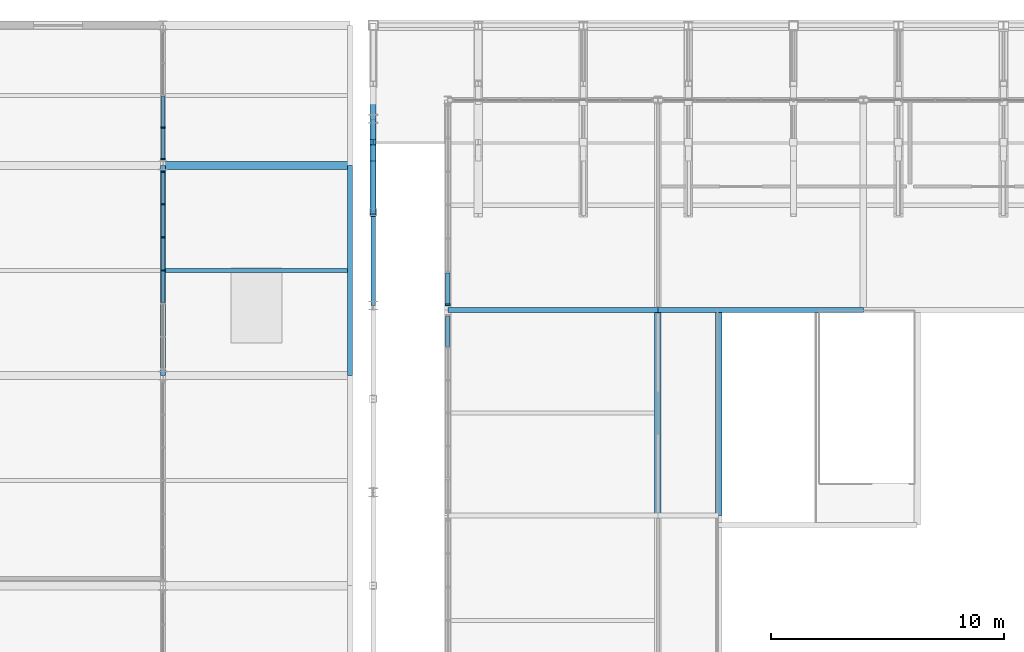
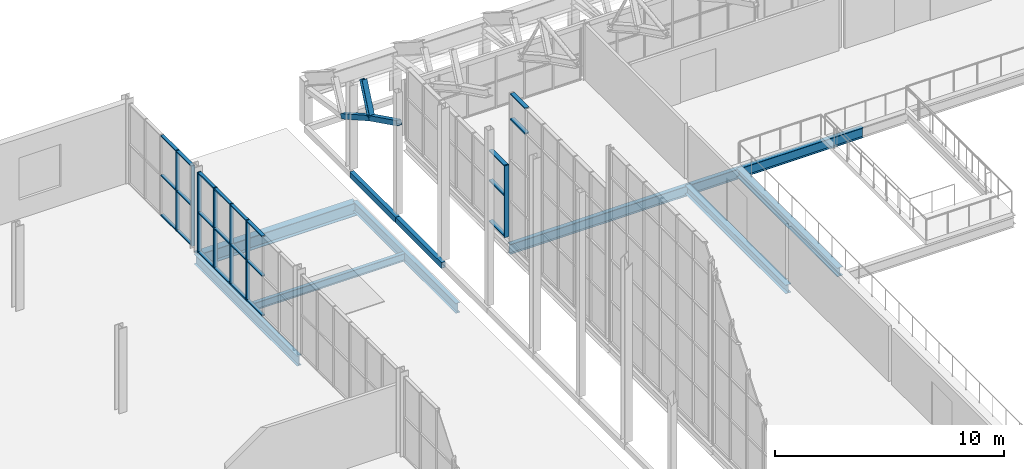
# One storey, part 55 of 134: 33 members, 10 beams, 4 elements without a shape of their own.
"""IFC4 building model written with IfcOpenShell, lengths in metres."""

from ifc_helpers import new_model, si_unit, direction, frame, origin, origin_2d, place, context, subcontext, project, spatial, rectangle, hollow_rectangle, i_section, extrude, material, layer, layer_set, material_profile, profile_set, type_object, element, aggregate, save


model = new_model("IFC4")

# Units and contexts
model_context = context("Model", 3, precision=1e-05, world=origin(), true_north=direction((0.0, 1.0)))
body_context = subcontext(model_context, "Body", "Model", "MODEL_VIEW")
ifc_project = project(units=[si_unit("LENGTHUNIT", "METRE"), si_unit("AREAUNIT", "SQUARE_METRE"), si_unit("VOLUMEUNIT", "CUBIC_METRE"), si_unit("PLANEANGLEUNIT", "RADIAN"), si_unit("MASSUNIT", "GRAM", prefix="KILO")], contexts=[model_context])

# Site, building, storey
site_placement = place(None, origin())
site = spatial("IfcSite", under=ifc_project, at=site_placement, CompositionType="ELEMENT")
building_placement = place(site_placement, origin())
building = spatial("IfcBuilding", under=site, at=building_placement, Name="Cazmaro Siding Exhibition Halls", CompositionType="ELEMENT")
storey_placement = place(building_placement, frame((0.0, 0.0, 12.0)))
storey = spatial("IfcBuildingStorey", under=building, at=storey_placement, Name="L02", CompositionType="ELEMENT", Elevation=12.0)

# Beams
ifc_material_1 = material(Name="Steel ASTM A992 Grade 50", Category="steel")
ifc_material_profile_1 = material_profile(ifc_material_1, i_section(OverallWidth=0.214111328125, OverallDepth=0.549072265625, WebThickness=0.014892578125, FlangeThickness=0.02392578125, at=origin_2d()), Name="W21X93")
ifc_profile_set_1 = profile_set([ifc_material_profile_1], Name="Steel ASTM A992 Grade 50")
beam_type_1 = type_object("IfcBeamType", Name="B-01", PredefinedType="BEAM", material=ifc_profile_set_1)
beam_1_placement = place(storey_placement, frame((36.0, 109.0, -0.4951171875), z_axis=(0.0, 1.0, 0.0), x_axis=(-1.0, 0.0, 0.0)))
element("IfcBeam", 1, at=beam_1_placement, inside=storey, type_object=beam_type_1, Name="Beam B-01 BM-2154", PredefinedType="BEAM", context=body_context, shape_type="SweptSolid", body=[
    extrude(i_section(OverallWidth=0.214111328125, OverallDepth=0.549072265625, WebThickness=0.014892578125, FlangeThickness=0.02392578125, at=origin_2d()), origin(), (0.0, 0.0, 1.0), 9.0),
])
ifc_material_2 = material(Name="Steel ASTM A992 Grade 50", Category="steel")
ifc_material_profile_2 = material_profile(ifc_material_2, i_section(OverallWidth=0.2099609375, OverallDepth=0.535888671875, WebThickness=0.010986328125, FlangeThickness=0.01708984375, at=origin_2d()), Name="W21X68")
ifc_profile_set_2 = profile_set([ifc_material_profile_2], Name="Steel ASTM A992 Grade 50")
beam_type_2 = type_object("IfcBeamType", Name="B-02", PredefinedType="BEAM", material=ifc_profile_set_2)
beam_2_placement = place(storey_placement, frame((48.199951171875, 111.800048828125, -0.488037109375), z_axis=(1.0, 0.0, 0.0), x_axis=(0.0, 1.0, 0.0)))
element("IfcBeam", 2, at=beam_2_placement, inside=storey, type_object=beam_type_2, Name="Beam B-02 BM-0398", PredefinedType="BEAM", context=body_context, shape_type="SweptSolid", body=[
    extrude(i_section(OverallWidth=0.2099609375, OverallDepth=0.535888671875, WebThickness=0.010986328125, FlangeThickness=0.01708984375, at=origin_2d()), origin(), (0.0, 0.0, 1.0), 9.0),
])
beam_3_placement = place(storey_placement, frame((57.199951171875, 111.800048828125, -0.488037109375), z_axis=(1.0, 0.0, 0.0), x_axis=(0.0, 1.0, 0.0)))
element("IfcBeam", 3, at=beam_3_placement, inside=storey, type_object=beam_type_2, Name="Beam B-02 BM-0401", PredefinedType="BEAM", context=body_context, shape_type="SweptSolid", body=[
    extrude(i_section(OverallWidth=0.2099609375, OverallDepth=0.535888671875, WebThickness=0.010986328125, FlangeThickness=0.01708984375, at=origin_2d()), origin(), (0.0, 0.0, 1.0), 8.800048828125),
])
beam_4_placement = place(storey_placement, frame((44.0, 109.0, -0.488037109375), z_axis=(0.0, 1.0, 0.0), x_axis=(-1.0, 0.0, 0.0)))
element("IfcBeam", 4, at=beam_4_placement, inside=storey, type_object=beam_type_2, Name="Beam B-02 BM-2168", PredefinedType="BEAM", context=body_context, shape_type="SweptSolid", body=[
    extrude(i_section(OverallWidth=0.2099609375, OverallDepth=0.535888671875, WebThickness=0.010986328125, FlangeThickness=0.01708984375, at=origin_2d()), origin(), (0.0, 0.0, 1.0), 9.0),
])
ifc_material_3 = material(Name="Steel ASTM A992 Grade 50", Category="steel")
ifc_material_profile_3 = material_profile(ifc_material_3, i_section(OverallWidth=0.279052734375, OverallDepth=0.4619140625, WebThickness=0.010986328125, FlangeThickness=0.01708984375, at=origin_2d()), Name="W18X76")
ifc_profile_set_3 = profile_set([ifc_material_profile_3], Name="Steel ASTM A992 Grade 50")
beam_type_3 = type_object("IfcBeamType", Name="B-03", PredefinedType="BEAM", material=ifc_profile_set_3)
for number, where, z_axis, x_axis, name in (
    (5, (57.199951171875, 103.0, -0.450927734375), (0.0, 1.0, 0.0), (-1.0, 0.0, 0.0), "Beam B-03 BM-0499"),
    (6, (59.800048828125, 103.0, -0.450927734375), (0.0, 1.0, 0.0), (-1.0, 0.0, 0.0), "Beam B-03 BM-2510"),
):
    element("IfcBeam", number, at=place(storey_placement, frame(where, z_axis=z_axis, x_axis=x_axis)), inside=storey, type_object=beam_type_3, Name=name, PredefinedType="BEAM", context=body_context, shape_type="SweptSolid", body=[
        extrude(i_section(OverallWidth=0.279052734375, OverallDepth=0.4619140625, WebThickness=0.010986328125, FlangeThickness=0.01708984375, at=origin_2d()), origin(), (0.0, 0.0, 1.0), 8.800048828125),
    ])

# Curtain wall, members
ifc_material_4 = material(Name="Anodized Bronze Aluminum and Solar-Control Low-E Glazing", Category="aluminium")
ifc_layer_1 = layer(ifc_material_4, 0.179931640625)
ifc_layer_set_1 = layer_set([ifc_layer_1], Name="Anodized Bronze Aluminum and Solar-Control Low-E Glazing")
curtain_wall_type_1 = type_object("IfcCurtainWallType", Name="CWS-01", PredefinedType="USERDEFINED", material=ifc_layer_set_1)
curtain_wall_1_placement = place(storey_placement, origin())
curtain_wall_1 = element("IfcCurtainWall", 7, at=curtain_wall_1_placement, inside=storey, type_object=curtain_wall_type_1, Name="Glazed Curtain Wall CWS-01 CW-244", ObjectType="GLAZED CURTAIN WALL", PredefinedType="USERDEFINED")
ifc_material_5 = material(Name="Anodized Bronze Extruded Aluminum", Category="aluminium")
ifc_material_profile_4 = material_profile(ifc_material_5, rectangle(XDim=0.179931640625, YDim=0.06005859375, at=origin_2d()), Name="CWM-01")
ifc_profile_set_4 = profile_set([ifc_material_profile_4], Name="Anodized Bronze Extruded Aluminum")
member_type_1 = type_object("IfcMemberType", Name="CWM-01", PredefinedType="MULLION", material=ifc_profile_set_4)
member_1_placement = place(storey_placement, frame((36.0, 113.5, 0.0), z_axis=(0.0, 0.0, 1.0), x_axis=(-1.0, 0.0, 0.0)))
member_1 = element("IfcMember", 8, at=member_1_placement, type_object=member_type_1, Name="CWS-01 mullion 4", PredefinedType="MULLION", context=body_context, shape_type="SweptSolid", body=[
    extrude(rectangle(XDim=0.179931640625, YDim=0.06005859375, at=origin_2d()), origin(), (0.0, 0.0, 1.0), 4.280029296875),
])
member_2_placement = place(storey_placement, frame((36.0, 114.918212890625, 0.0), z_axis=(0.0, 0.0, 1.0), x_axis=(-1.0, 0.0, 0.0)))
member_2 = element("IfcMember", 9, at=member_2_placement, type_object=member_type_1, Name="CWS-01 mullion 5", PredefinedType="MULLION", context=body_context, shape_type="SweptSolid", body=[
    extrude(rectangle(XDim=0.179931640625, YDim=0.06005859375, at=origin_2d()), origin(), (0.0, 0.0, 1.0), 4.280029296875),
])
member_3_placement = place(storey_placement, frame((36.0, 116.336669921875, 0.0), z_axis=(0.0, 0.0, 1.0), x_axis=(-1.0, 0.0, 0.0)))
member_3 = element("IfcMember", 10, at=member_3_placement, type_object=member_type_1, Name="CWS-01 mullion 6", PredefinedType="MULLION", context=body_context, shape_type="SweptSolid", body=[
    extrude(rectangle(XDim=0.179931640625, YDim=0.06005859375, at=origin_2d()), origin(), (0.0, 0.0, 1.0), 4.280029296875),
])
member_4_placement = place(storey_placement, frame((36.0, 117.72509765625, 0.0), z_axis=(0.0, 0.0, 1.0), x_axis=(-1.0, 0.0, 0.0)))
member_4 = element("IfcMember", 11, at=member_4_placement, type_object=member_type_1, Name="CWS-01 mullion 7", PredefinedType="MULLION", context=body_context, shape_type="SweptSolid", body=[
    extrude(rectangle(XDim=0.179931640625, YDim=0.06005859375, at=origin_2d()), origin(), (0.0, 0.0, 1.0), 4.280029296875),
])

curtain_wall_2_placement = place(storey_placement, origin())
curtain_wall_2 = element("IfcCurtainWall", 12, at=curtain_wall_2_placement, inside=storey, type_object=curtain_wall_type_1, Name="Glazed Curtain Wall CWS-01 CW-246", ObjectType="GLAZED CURTAIN WALL", PredefinedType="USERDEFINED")
member_5_placement = place(storey_placement, frame((36.0, 118.27490234375, 0.0), z_axis=(0.0, 0.0, 1.0), x_axis=(-1.0, 0.0, 0.0)))
member_5 = element("IfcMember", 13, at=member_5_placement, type_object=member_type_1, Name="CWS-01 mullion 1", PredefinedType="MULLION", context=body_context, shape_type="SweptSolid", body=[
    extrude(rectangle(XDim=0.179931640625, YDim=0.06005859375, at=origin_2d()), origin(), (0.0, 0.0, 1.0), 4.280029296875),
])
member_6_placement = place(storey_placement, frame((36.0, 119.62255859375, 0.0), z_axis=(0.0, 0.0, 1.0), x_axis=(-1.0, 0.0, 0.0)))
member_6 = element("IfcMember", 14, at=member_6_placement, type_object=member_type_1, Name="CWS-01 mullion 2", PredefinedType="MULLION", context=body_context, shape_type="SweptSolid", body=[
    extrude(rectangle(XDim=0.179931640625, YDim=0.06005859375, at=origin_2d()), origin(), (0.0, 0.0, 1.0), 4.280029296875),
])

# Curtain wall, member
ifc_material_6 = material(Name="Anodized Bronze Aluminum and Solar-Control Low-E Glazing", Category="aluminium")
ifc_layer_2 = layer(ifc_material_6, 0.219970703125)
ifc_layer_set_2 = layer_set([ifc_layer_2], Name="Anodized Bronze Aluminum and Solar-Control Low-E Glazing")
curtain_wall_type_2 = type_object("IfcCurtainWallType", Name="CWS-03", PredefinedType="USERDEFINED", material=ifc_layer_set_2)
curtain_wall_3_placement = place(storey_placement, origin())
curtain_wall_3 = element("IfcCurtainWall", 15, at=curtain_wall_3_placement, inside=storey, type_object=curtain_wall_type_2, Name="Glazed Curtain Wall CWS-03 CW-064", ObjectType="GLAZED CURTAIN WALL", PredefinedType="USERDEFINED")
ifc_material_7 = material(Name="Anodized Bronze Extruded Aluminum", Category="aluminium")
ifc_material_profile_5 = material_profile(ifc_material_7, rectangle(XDim=0.219970703125, YDim=0.070068359375, at=origin_2d()), Name="CWM-03")
ifc_profile_set_5 = profile_set([ifc_material_profile_5], Name="Anodized Bronze Extruded Aluminum")
member_type_2 = type_object("IfcMemberType", Name="CWM-03", PredefinedType="MULLION", material=ifc_profile_set_5)
member_7_placement = place(storey_placement, frame((48.199951171875, 112.032958984375, 0.0), z_axis=(0.0, 0.0, 1.0), x_axis=(1.0, 0.0, 0.0)))
member_7 = element("IfcMember", 16, at=member_7_placement, type_object=member_type_2, Name="CWS-03 mullion 7", PredefinedType="MULLION", context=body_context, shape_type="SweptSolid", body=[
    extrude(rectangle(XDim=0.219970703125, YDim=0.070068359375, at=origin_2d()), origin(), (0.0, 0.0, 1.0), 3.824951171875),
])

# Member
ifc_material_8 = material(Name="Anodized Bronze Extruded Aluminum", Category="aluminium")
ifc_material_profile_6 = material_profile(ifc_material_8, rectangle(XDim=0.159912109375, YDim=0.06005859375, at=origin_2d()), Name="CWT-01")
ifc_profile_set_6 = profile_set([ifc_material_profile_6], Name="Anodized Bronze Extruded Aluminum")
member_type_3 = type_object("IfcMemberType", Name="CWT-01", PredefinedType="MULLION", material=ifc_profile_set_6)
member_8_placement = place(storey_placement, frame((36.0, 112.111572265625, 0.030029296875), z_axis=(0.0, 1.0, 0.0), x_axis=(-1.0, 0.0, 0.0)))
member_8 = element("IfcMember", 17, at=member_8_placement, type_object=member_type_3, Name="CWS-01 transom 3.1", ObjectType="TRANSOM", PredefinedType="USERDEFINED", context=body_context, shape_type="SweptSolid", body=[
    extrude(rectangle(XDim=0.159912109375, YDim=0.06005859375, at=origin_2d()), origin(), (0.0, 0.0, 1.0), 1.3583984375),
])

member_9_placement = place(storey_placement, frame((36.0, 112.111572265625, 2.139892578125), z_axis=(0.0, 1.0, 0.0), x_axis=(-1.0, 0.0, 0.0)))
member_9 = element("IfcMember", 18, at=member_9_placement, type_object=member_type_3, Name="CWS-01 transom 3.2", ObjectType="TRANSOM", PredefinedType="USERDEFINED", context=body_context, shape_type="SweptSolid", body=[
    extrude(rectangle(XDim=0.159912109375, YDim=0.06005859375, at=origin_2d()), origin(), (0.0, 0.0, 1.0), 1.3583984375),
])

member_10_placement = place(storey_placement, frame((36.0, 112.111572265625, 4.25), z_axis=(0.0, 1.0, 0.0), x_axis=(-1.0, 0.0, 0.0)))
member_10 = element("IfcMember", 19, at=member_10_placement, type_object=member_type_3, Name="CWS-01 transom 3.3", ObjectType="TRANSOM", PredefinedType="USERDEFINED", context=body_context, shape_type="SweptSolid", body=[
    extrude(rectangle(XDim=0.159912109375, YDim=0.06005859375, at=origin_2d()), origin(), (0.0, 0.0, 1.0), 1.3583984375),
])

member_11_placement = place(storey_placement, frame((36.0, 113.530029296875, 0.030029296875), z_axis=(0.0, 1.0, 0.0), x_axis=(-1.0, 0.0, 0.0)))
member_11 = element("IfcMember", 20, at=member_11_placement, type_object=member_type_3, Name="CWS-01 transom 4.1", ObjectType="TRANSOM", PredefinedType="USERDEFINED", context=body_context, shape_type="SweptSolid", body=[
    extrude(rectangle(XDim=0.159912109375, YDim=0.06005859375, at=origin_2d()), origin(), (0.0, 0.0, 1.0), 1.3583984375),
])

member_12_placement = place(storey_placement, frame((36.0, 113.530029296875, 2.139892578125), z_axis=(0.0, 1.0, 0.0), x_axis=(-1.0, 0.0, 0.0)))
member_12 = element("IfcMember", 21, at=member_12_placement, type_object=member_type_3, Name="CWS-01 transom 4.2", ObjectType="TRANSOM", PredefinedType="USERDEFINED", context=body_context, shape_type="SweptSolid", body=[
    extrude(rectangle(XDim=0.159912109375, YDim=0.06005859375, at=origin_2d()), origin(), (0.0, 0.0, 1.0), 1.3583984375),
])

member_13_placement = place(storey_placement, frame((36.0, 113.530029296875, 4.25), z_axis=(0.0, 1.0, 0.0), x_axis=(-1.0, 0.0, 0.0)))
member_13 = element("IfcMember", 22, at=member_13_placement, type_object=member_type_3, Name="CWS-01 transom 4.3", ObjectType="TRANSOM", PredefinedType="USERDEFINED", context=body_context, shape_type="SweptSolid", body=[
    extrude(rectangle(XDim=0.159912109375, YDim=0.06005859375, at=origin_2d()), origin(), (0.0, 0.0, 1.0), 1.3583984375),
])

member_14_placement = place(storey_placement, frame((36.0, 114.9482421875, 0.030029296875), z_axis=(0.0, 1.0, 0.0), x_axis=(-1.0, 0.0, 0.0)))
member_14 = element("IfcMember", 23, at=member_14_placement, type_object=member_type_3, Name="CWS-01 transom 5.1", ObjectType="TRANSOM", PredefinedType="USERDEFINED", context=body_context, shape_type="SweptSolid", body=[
    extrude(rectangle(XDim=0.159912109375, YDim=0.06005859375, at=origin_2d()), origin(), (0.0, 0.0, 1.0), 1.3583984375),
])

member_15_placement = place(storey_placement, frame((36.0, 114.9482421875, 2.139892578125), z_axis=(0.0, 1.0, 0.0), x_axis=(-1.0, 0.0, 0.0)))
member_15 = element("IfcMember", 24, at=member_15_placement, type_object=member_type_3, Name="CWS-01 transom 5.2", ObjectType="TRANSOM", PredefinedType="USERDEFINED", context=body_context, shape_type="SweptSolid", body=[
    extrude(rectangle(XDim=0.159912109375, YDim=0.06005859375, at=origin_2d()), origin(), (0.0, 0.0, 1.0), 1.3583984375),
])

member_16_placement = place(storey_placement, frame((36.0, 114.9482421875, 4.25), z_axis=(0.0, 1.0, 0.0), x_axis=(-1.0, 0.0, 0.0)))
member_16 = element("IfcMember", 25, at=member_16_placement, type_object=member_type_3, Name="CWS-01 transom 5.3", ObjectType="TRANSOM", PredefinedType="USERDEFINED", context=body_context, shape_type="SweptSolid", body=[
    extrude(rectangle(XDim=0.159912109375, YDim=0.06005859375, at=origin_2d()), origin(), (0.0, 0.0, 1.0), 1.3583984375),
])

member_17_placement = place(storey_placement, frame((36.0, 116.36669921875, 0.030029296875), z_axis=(0.0, 1.0, 0.0), x_axis=(-1.0, 0.0, 0.0)))
member_17 = element("IfcMember", 26, at=member_17_placement, type_object=member_type_3, Name="CWS-01 transom 6.1", ObjectType="TRANSOM", PredefinedType="USERDEFINED", context=body_context, shape_type="SweptSolid", body=[
    extrude(rectangle(XDim=0.159912109375, YDim=0.06005859375, at=origin_2d()), origin(), (0.0, 0.0, 1.0), 1.328369140625),
])

member_18_placement = place(storey_placement, frame((36.0, 116.36669921875, 2.139892578125), z_axis=(0.0, 1.0, 0.0), x_axis=(-1.0, 0.0, 0.0)))
member_18 = element("IfcMember", 27, at=member_18_placement, type_object=member_type_3, Name="CWS-01 transom 6.2", ObjectType="TRANSOM", PredefinedType="USERDEFINED", context=body_context, shape_type="SweptSolid", body=[
    extrude(rectangle(XDim=0.159912109375, YDim=0.06005859375, at=origin_2d()), origin(), (0.0, 0.0, 1.0), 1.328369140625),
])

member_19_placement = place(storey_placement, frame((36.0, 116.36669921875, 4.25), z_axis=(0.0, 1.0, 0.0), x_axis=(-1.0, 0.0, 0.0)))
member_19 = element("IfcMember", 28, at=member_19_placement, type_object=member_type_3, Name="CWS-01 transom 6.3", ObjectType="TRANSOM", PredefinedType="USERDEFINED", context=body_context, shape_type="SweptSolid", body=[
    extrude(rectangle(XDim=0.159912109375, YDim=0.06005859375, at=origin_2d()), origin(), (0.0, 0.0, 1.0), 1.328369140625),
])

aggregate(curtain_wall_1, [member_1, member_2, member_3, member_4, member_8, member_9, member_10, member_11, member_12, member_13, member_14, member_15, member_16, member_17, member_18, member_19])

member_20_placement = place(storey_placement, frame((36.0, 118.304931640625, 0.030029296875), z_axis=(0.0, 1.0, 0.0), x_axis=(-1.0, 0.0, 0.0)))
member_20 = element("IfcMember", 29, at=member_20_placement, type_object=member_type_3, Name="CWS-01 transom 1.1", ObjectType="TRANSOM", PredefinedType="USERDEFINED", context=body_context, shape_type="SweptSolid", body=[
    extrude(rectangle(XDim=0.159912109375, YDim=0.06005859375, at=origin_2d()), origin(), (0.0, 0.0, 1.0), 1.28759765625),
])

member_21_placement = place(storey_placement, frame((36.0, 118.304931640625, 2.139892578125), z_axis=(0.0, 1.0, 0.0), x_axis=(-1.0, 0.0, 0.0)))
member_21 = element("IfcMember", 30, at=member_21_placement, type_object=member_type_3, Name="CWS-01 transom 1.2", ObjectType="TRANSOM", PredefinedType="USERDEFINED", context=body_context, shape_type="SweptSolid", body=[
    extrude(rectangle(XDim=0.159912109375, YDim=0.06005859375, at=origin_2d()), origin(), (0.0, 0.0, 1.0), 1.28759765625),
])

member_22_placement = place(storey_placement, frame((36.0, 118.304931640625, 4.25), z_axis=(0.0, 1.0, 0.0), x_axis=(-1.0, 0.0, 0.0)))
member_22 = element("IfcMember", 31, at=member_22_placement, type_object=member_type_3, Name="CWS-01 transom 1.3", ObjectType="TRANSOM", PredefinedType="USERDEFINED", context=body_context, shape_type="SweptSolid", body=[
    extrude(rectangle(XDim=0.159912109375, YDim=0.06005859375, at=origin_2d()), origin(), (0.0, 0.0, 1.0), 1.28759765625),
])

member_23_placement = place(storey_placement, frame((36.0, 119.652587890625, 0.030029296875), z_axis=(0.0, 1.0, 0.0), x_axis=(-1.0, 0.0, 0.0)))
member_23 = element("IfcMember", 32, at=member_23_placement, type_object=member_type_3, Name="CWS-01 transom 2.1", ObjectType="TRANSOM", PredefinedType="USERDEFINED", context=body_context, shape_type="SweptSolid", body=[
    extrude(rectangle(XDim=0.159912109375, YDim=0.06005859375, at=origin_2d()), origin(), (0.0, 0.0, 1.0), 1.3173828125),
])

member_24_placement = place(storey_placement, frame((36.0, 119.652587890625, 2.139892578125), z_axis=(0.0, 1.0, 0.0), x_axis=(-1.0, 0.0, 0.0)))
member_24 = element("IfcMember", 33, at=member_24_placement, type_object=member_type_3, Name="CWS-01 transom 2.2", ObjectType="TRANSOM", PredefinedType="USERDEFINED", context=body_context, shape_type="SweptSolid", body=[
    extrude(rectangle(XDim=0.159912109375, YDim=0.06005859375, at=origin_2d()), origin(), (0.0, 0.0, 1.0), 1.3173828125),
])

member_25_placement = place(storey_placement, frame((36.0, 119.652587890625, 4.25), z_axis=(0.0, 1.0, 0.0), x_axis=(-1.0, 0.0, 0.0)))
member_25 = element("IfcMember", 34, at=member_25_placement, type_object=member_type_3, Name="CWS-01 transom 2.3", ObjectType="TRANSOM", PredefinedType="USERDEFINED", context=body_context, shape_type="SweptSolid", body=[
    extrude(rectangle(XDim=0.159912109375, YDim=0.06005859375, at=origin_2d()), origin(), (0.0, 0.0, 1.0), 1.3173828125),
])

aggregate(curtain_wall_2, [member_5, member_6, member_20, member_21, member_22, member_23, member_24, member_25])

# Curtain wall, members
curtain_wall_4_placement = place(storey_placement, origin())
curtain_wall_4 = element("IfcCurtainWall", 35, at=curtain_wall_4_placement, inside=storey, type_object=curtain_wall_type_2, Name="Glazed Curtain Wall CWS-03 CW-061", ObjectType="GLAZED CURTAIN WALL", PredefinedType="USERDEFINED")
ifc_material_9 = material(Name="Anodized Bronze Extruded Aluminum", Category="aluminium")
ifc_material_profile_7 = material_profile(ifc_material_9, rectangle(XDim=0.199951171875, YDim=0.070068359375, at=origin_2d()), Name="CWT-03")
ifc_profile_set_7 = profile_set([ifc_material_profile_7], Name="Anodized Bronze Extruded Aluminum")
member_type_4 = type_object("IfcMemberType", Name="CWT-03", PredefinedType="MULLION", material=ifc_profile_set_7)
member_26_placement = place(storey_placement, frame((48.199951171875, 111.531982421875, 6.60009765625), z_axis=(0.0, -1.0, 0.0), x_axis=(1.0, 0.0, 0.0)))
member_26 = element("IfcMember", 36, at=member_26_placement, type_object=member_type_4, Name="CWS-03 transom 1.4", ObjectType="TRANSOM", PredefinedType="USERDEFINED", context=body_context, shape_type="SweptSolid", body=[
    extrude(rectangle(XDim=0.199951171875, YDim=0.070068359375, at=origin_2d()), origin(), (0.0, 0.0, 1.0), 1.299072265625),
])
member_27_placement = place(storey_placement, frame((48.199951171875, 111.531982421875, 7.93798828125), z_axis=(0.0, -1.0, 0.0), x_axis=(1.0, 0.0, 0.0)))
member_27 = element("IfcMember", 37, at=member_27_placement, type_object=member_type_4, Name="CWS-03 transom 1.5", ObjectType="TRANSOM", PredefinedType="USERDEFINED", context=body_context, shape_type="SweptSolid", body=[
    extrude(rectangle(XDim=0.199951171875, YDim=0.070068359375, at=origin_2d()), origin(), (0.0, 0.0, 1.0), 1.299072265625),
])
aggregate(curtain_wall_4, [member_26, member_27])

# Member
member_28_placement = place(storey_placement, frame((48.199951171875, 113.39697265625, 0.034912109375), z_axis=(0.0, -1.0, 0.0), x_axis=(1.0, 0.0, 0.0)))
member_28 = element("IfcMember", 38, at=member_28_placement, type_object=member_type_4, Name="CWS-03 transom 6.1", ObjectType="TRANSOM", PredefinedType="USERDEFINED", context=body_context, shape_type="SweptSolid", body=[
    extrude(rectangle(XDim=0.199951171875, YDim=0.070068359375, at=origin_2d()), origin(), (0.0, 0.0, 1.0), 1.328857421875),
])

member_29_placement = place(storey_placement, frame((48.199951171875, 113.39697265625, 2.199951171875), z_axis=(0.0, -1.0, 0.0), x_axis=(1.0, 0.0, 0.0)))
member_29 = element("IfcMember", 39, at=member_29_placement, type_object=member_type_4, Name="CWS-03 transom 6.2", ObjectType="TRANSOM", PredefinedType="USERDEFINED", context=body_context, shape_type="SweptSolid", body=[
    extrude(rectangle(XDim=0.199951171875, YDim=0.070068359375, at=origin_2d()), origin(), (0.0, 0.0, 1.0), 1.328857421875),
])

member_30_placement = place(storey_placement, frame((48.199951171875, 113.39697265625, 3.7900390625), z_axis=(0.0, -1.0, 0.0), x_axis=(1.0, 0.0, 0.0)))
member_30 = element("IfcMember", 40, at=member_30_placement, type_object=member_type_4, Name="CWS-03 transom 6.3", ObjectType="TRANSOM", PredefinedType="USERDEFINED", context=body_context, shape_type="SweptSolid", body=[
    extrude(rectangle(XDim=0.199951171875, YDim=0.070068359375, at=origin_2d()), origin(), (0.0, 0.0, 1.0), 1.328857421875),
])

aggregate(curtain_wall_3, [member_7, member_28, member_29, member_30])

# Beams
ifc_material_10 = material(Name="Steel ASTM A992 Grade 50", Category="steel")
ifc_material_profile_8 = material_profile(ifc_material_10, i_section(OverallWidth=0.35595703125, OverallDepth=0.696044921875, WebThickness=0.014892578125, FlangeThickness=0.02490234375, at=origin_2d()), Name="W27X146")
ifc_profile_set_8 = profile_set([ifc_material_profile_8], Name="Steel ASTM A992 Grade 50")
beam_type_4 = type_object("IfcBeamType", Name="G-05", PredefinedType="USERDEFINED", material=ifc_profile_set_8)
beam_5_placement = place(storey_placement, frame((36.0, 118.0, -0.568115234375), z_axis=(1.0, 0.0, 0.0), x_axis=(0.0, 1.0, 0.0)))
element("IfcBeam", 41, at=beam_5_placement, inside=storey, type_object=beam_type_4, Name="Beam G-05 BM-2160", ObjectType="GIRDER", PredefinedType="USERDEFINED", context=body_context, shape_type="SweptSolid", body=[
    extrude(i_section(OverallWidth=0.35595703125, OverallDepth=0.696044921875, WebThickness=0.014892578125, FlangeThickness=0.02490234375, at=origin_2d()), origin(), (0.0, 0.0, 1.0), 8.0),
])
ifc_material_11 = material(Name="Steel ASTM A992 Grade 50", Category="steel")
ifc_material_profile_9 = material_profile(ifc_material_11, i_section(OverallWidth=0.177978515625, OverallDepth=0.406005859375, WebThickness=0.008056640625, FlangeThickness=0.012939453125, at=origin_2d()), Name="W16X40")
ifc_profile_set_9 = profile_set([ifc_material_profile_9], Name="Steel ASTM A992 Grade 50")
beam_type_5 = type_object("IfcBeamType", Name="J-02", PredefinedType="JOIST", material=ifc_profile_set_9)
beam_6_placement = place(storey_placement, frame((36.10693359375, 113.5, -0.423095703125), z_axis=(1.0, 0.0, 0.0), x_axis=(0.0, 1.0, 0.0)))
element("IfcBeam", 42, at=beam_6_placement, inside=storey, type_object=beam_type_5, Name="Beam J-02 BM-2169", PredefinedType="JOIST", context=body_context, shape_type="SweptSolid", body=[
    extrude(i_section(OverallWidth=0.177978515625, OverallDepth=0.406005859375, WebThickness=0.008056640625, FlangeThickness=0.012939453125, at=origin_2d()), origin(), (0.0, 0.0, 1.0), 7.7880859375),
])
ifc_material_12 = material(Name="Steel ASTM A500 Grade C", Category="steel")
ifc_material_profile_10 = material_profile(ifc_material_12, hollow_rectangle(XDim=0.202880859375, YDim=0.304931640625, WallThickness=0.011962890625, at=origin_2d()), Name="HSS12X8X1/2")
ifc_profile_set_10 = profile_set([ifc_material_profile_10], Name="Steel ASTM A500 Grade C")
beam_type_6 = type_object("IfcBeamType", Name="SP-01", PredefinedType="SPANDREL", material=ifc_profile_set_10)
for number, where, z_axis, x_axis, name in (
    (43, (45.0, 112.0, -0.373046875), (0.0, 1.0, 0.0), (-1.0, 0.0, 0.0), "Beam SP-01 BM-0026"),
    (44, (45.0, 116.0, -0.373046875), (0.0, 1.0, 0.0), (-1.0, 0.0, 0.0), "Beam SP-01 BM-0028"),
):
    element("IfcBeam", number, at=place(storey_placement, frame(where, z_axis=z_axis, x_axis=x_axis)), inside=storey, type_object=beam_type_6, Name=name, PredefinedType="SPANDREL", context=body_context, shape_type="SweptSolid", body=[
        extrude(hollow_rectangle(XDim=0.202880859375, YDim=0.304931640625, WallThickness=0.011962890625, at=origin_2d()), origin(), (0.0, 0.0, 1.0), 4.0),
    ])

# Members
ifc_material_13 = material(Name="Steel ASTM A500 Grade C", Category="steel")
ifc_material_profile_11 = material_profile(ifc_material_13, hollow_rectangle(XDim=0.25390625, YDim=0.25390625, WallThickness=0.014892578125, at=origin_2d()), Name="HSS10X10X5/8")
ifc_profile_set_11 = profile_set([ifc_material_profile_11], Name="Steel ASTM A500 Grade C")
member_type_5 = type_object("IfcMemberType", Name="TC-01", PredefinedType="CHORD", material=ifc_profile_set_11)
member_31_placement = place(storey_placement, frame((45.0, 115.868896484375, 4.87890625), z_axis=(0.0, 0.896077457924, -0.443897724033), x_axis=(-1.0, 0.0, 0.0)))
element("IfcMember", 45, at=member_31_placement, inside=storey, type_object=member_type_5, Name="Space frame barrel vault bottom chord TC-01 MEM-0022", PredefinedType="CHORD", context=body_context, shape_type="SweptSolid", body=[
    extrude(hollow_rectangle(XDim=0.25390625, YDim=0.25390625, WallThickness=0.014892578125, at=origin_2d()), origin(), (0.0, 0.0, 1.0), 2.7119140625),
])
member_32_placement = place(storey_placement, frame((45.0, 118.299072265625, 3.675048828125), z_axis=(0.0, 0.871222319466, -0.490888653428), x_axis=(-1.0, 0.0, 0.0)))
element("IfcMember", 46, at=member_32_placement, inside=storey, type_object=member_type_5, Name="Space frame barrel vault bottom chord TC-01 MEM-0023", PredefinedType="CHORD", context=body_context, shape_type="SweptSolid", body=[
    extrude(hollow_rectangle(XDim=0.25390625, YDim=0.25390625, WallThickness=0.014892578125, at=origin_2d()), origin(), (0.0, 0.0, 1.0), 2.7890625),
])
ifc_material_14 = material(Name="Steel ASTM A992 Grade 50", Category="steel")
ifc_material_profile_12 = material_profile(ifc_material_14, i_section(OverallWidth=0.25390625, OverallDepth=0.25390625, WebThickness=0.009033203125, FlangeThickness=0.013916015625, at=origin_2d()), Name="W10X49")
ifc_profile_set_12 = profile_set([ifc_material_profile_12], Name="Steel ASTM A992 Grade 50")
member_type_6 = type_object("IfcMemberType", Name="TP-04", PredefinedType="POST", material=ifc_profile_set_12)
member_33_placement = place(storey_placement, frame((45.0, 118.299072265625, 3.675048828125), z_axis=(0.0, 0.395865434272, 0.918308530913), x_axis=(-1.0, 0.0, 0.0)))
element("IfcMember", 47, at=member_33_placement, inside=storey, type_object=member_type_6, Name="Space frame barrel vault post TP-04 MEM-0046", PredefinedType="POST", context=body_context, shape_type="SweptSolid", body=[
    extrude(i_section(OverallWidth=0.25390625, OverallDepth=0.25390625, WebThickness=0.009033203125, FlangeThickness=0.013916015625, at=origin_2d()), origin(), (0.0, 0.0, 1.0), 1.7705078125),
])

save(model, "model.ifc")
